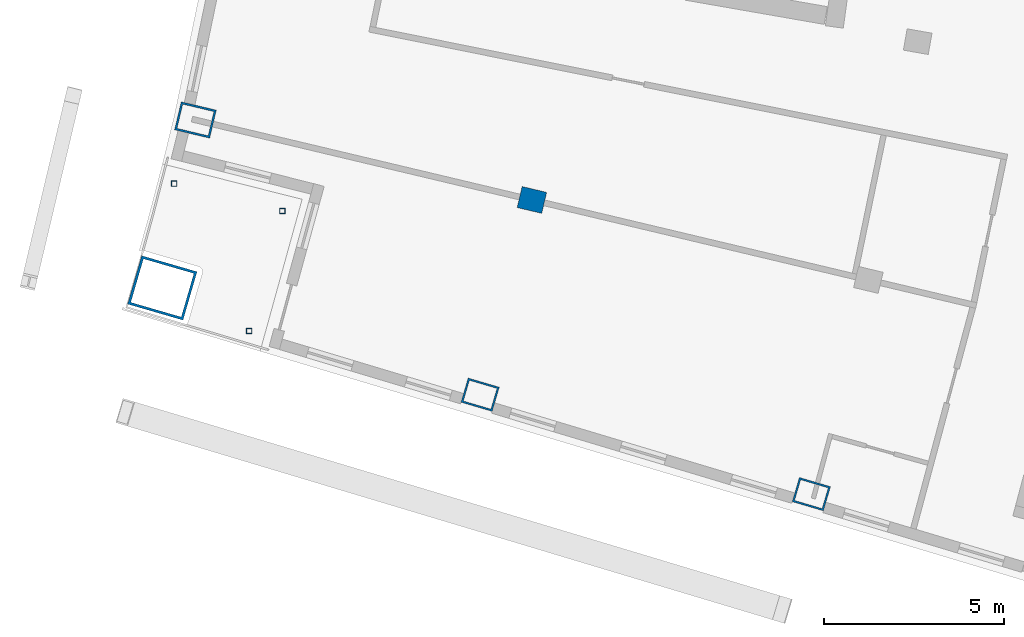
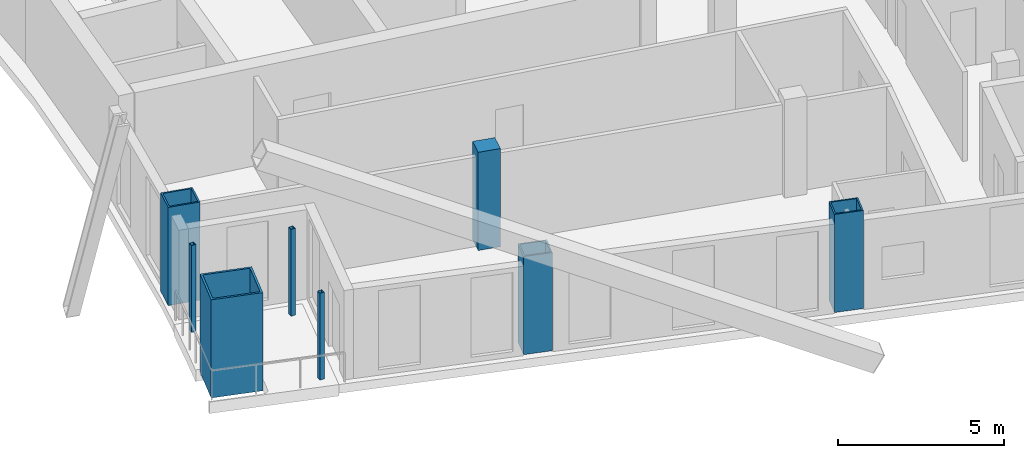
# One storey, part 1 of 17: 8 columns.
"""IFC4 building model written with IfcOpenShell, lengths in metres."""

from ifc_helpers import new_model, si_unit, direction, frame, origin, origin_2d, place, context, subcontext, project, spatial, rectangle, hollow_rectangle, extrude, material, material_profile, profile_set, type_object, element, save


model = new_model("IFC4")

# Units and contexts
model_context = context("Model", 3, precision=1e-05, world=origin(), true_north=direction((0.0, 1.0)))
body_context = subcontext(model_context, "Body", "Model", "MODEL_VIEW")
ifc_project = project(units=[si_unit("LENGTHUNIT", "METRE"), si_unit("AREAUNIT", "SQUARE_METRE"), si_unit("VOLUMEUNIT", "CUBIC_METRE"), si_unit("PLANEANGLEUNIT", "RADIAN"), si_unit("MASSUNIT", "GRAM", prefix="KILO")], contexts=[model_context])

# Site, building, storey
site_placement = place(None, origin())
site = spatial("IfcSite", under=ifc_project, at=site_placement, CompositionType="ELEMENT")
building_placement = place(site_placement, origin())
building = spatial("IfcBuilding", under=site, at=building_placement, Name="Alderwake Tower", CompositionType="ELEMENT")
storey_placement = place(building_placement, frame((0.0, 0.0, 278.0)))
storey = spatial("IfcBuildingStorey", under=building, at=storey_placement, Name="L69", CompositionType="ELEMENT", Elevation=278.0)

# Columns
ifc_material_1 = material(Name="Steel ASTM A572 Grade 50 concrete filled C70/85", Category="concrete")
ifc_material_profile_1 = material_profile(ifc_material_1, hollow_rectangle(XDim=0.699951171875, YDim=0.89990234375, WallThickness=0.050048828125, at=origin_2d()), Name="BOX 900X700X50")
ifc_profile_set_1 = profile_set([ifc_material_profile_1], Name="Steel ASTM A572 Grade 50 concrete filled C70/85")
column_type_1 = type_object("IfcColumnType", Name="End column Z5", PredefinedType="COLUMN", material=ifc_profile_set_1)
for number, where, z_axis, x_axis, name in (
    (1, (21.885498046875, 31.03759765625, 0.0), (0.0, 0.0, 1.0), (0.282132160283, 0.95937554906, 0.0), "Column R02-C1"),
    (2, (31.080322265625, 28.27685546875, 0.0), (0.0, 0.0, 1.0), (0.282582549822, 0.959242984095, 0.0), "Column R02-C2"),
):
    element("IfcColumn", number, at=place(storey_placement, frame(where, z_axis=z_axis, x_axis=x_axis)), inside=storey, type_object=column_type_1, Name=name, PredefinedType="COLUMN", context=body_context, shape_type="SweptSolid", body=[
        extrude(hollow_rectangle(XDim=0.699951171875, YDim=0.89990234375, WallThickness=0.050048828125, at=origin_2d()), origin(), (0.0, 0.0, 1.0), 3.60009765625),
    ])
ifc_material_2 = material(Name="Concrete C70/85", Category="concrete")
ifc_material_profile_2 = material_profile(ifc_material_2, rectangle(XDim=0.60009765625, YDim=0.699951171875, at=origin_2d()), Name="RC 700X600")
ifc_profile_set_2 = profile_set([ifc_material_profile_2], Name="Concrete C70/85")
column_type_2 = type_object("IfcColumnType", Name="Interior column Z5", PredefinedType="COLUMN", material=ifc_profile_set_2)
column_1_placement = place(storey_placement, frame((23.322021484375, 36.444091796875, 0.0), z_axis=(0.0, 0.0, 1.0), x_axis=(0.231221547198, 0.972901123502, 0.0)))
element("IfcColumn", 3, at=column_1_placement, inside=storey, type_object=column_type_2, Name="Column R03-C1", PredefinedType="COLUMN", context=body_context, shape_type="SweptSolid", body=[
    extrude(rectangle(XDim=0.60009765625, YDim=0.699951171875, at=origin_2d()), origin(), (0.0, 0.0, 1.0), 3.60009765625),
])
ifc_material_3 = material(Name="Steel ASTM A500 Grade C", Category="steel")
ifc_material_profile_3 = material_profile(ifc_material_3, hollow_rectangle(XDim=0.15234375, YDim=0.15234375, WallThickness=0.0087890625, at=origin_2d()), Name="HSS6X6X3/8")
ifc_profile_set_3 = profile_set([ifc_material_profile_3], Name="Steel ASTM A500 Grade C")
column_type_3 = type_object("IfcColumnType", Name="Light post HSS6X6X3/8", PredefinedType="COLUMN", material=ifc_profile_set_3)
for number, where, z_axis, x_axis, name in (
    (4, (13.3896484375, 36.896484375, 0.0), (0.0, 0.0, 1.0), (1.0, 0.0, 0.0), "Terrace post RS1"),
    (5, (15.47412109375, 32.805908203125, 0.0), (0.0, 0.0, 1.0), (1.0, 0.0, 0.0), "Terrace post RS2"),
    (6, (16.39501953125, 36.135986328125, 0.0), (0.0, 0.0, 1.0), (1.0, 0.0, 0.0), "Terrace post RS3"),
):
    element("IfcColumn", number, at=place(storey_placement, frame(where, z_axis=z_axis, x_axis=x_axis)), inside=storey, type_object=column_type_3, Name=name, PredefinedType="COLUMN", context=body_context, shape_type="SweptSolid", body=[
        extrude(hollow_rectangle(XDim=0.15234375, YDim=0.15234375, WallThickness=0.0087890625, at=origin_2d()), origin(), (0.0, 0.0, 1.0), 3.179931640625),
    ])
ifc_material_4 = material(Name="Steel ASTM A572 Grade 50 concrete filled C70/85", Category="concrete")
ifc_material_profile_4 = material_profile(ifc_material_4, hollow_rectangle(XDim=1.39990234375, YDim=1.60009765625, WallThickness=0.070068359375, at=origin_2d()), Name="BOX 1600X1400X70")
ifc_profile_set_4 = profile_set([ifc_material_profile_4], Name="Steel ASTM A572 Grade 50 concrete filled C70/85")
column_type_4 = type_object("IfcColumnType", Name="Mega column Z5", PredefinedType="COLUMN", material=ifc_profile_set_4)
column_2_placement = place(storey_placement, frame((13.06298828125, 34.00244140625, 0.0), z_axis=(0.0, 0.0, 1.0), x_axis=(0.278612301868, 0.960403657452, 0.0)))
element("IfcColumn", 7, at=column_2_placement, inside=storey, type_object=column_type_4, Name="Column R02-C0", PredefinedType="COLUMN", context=body_context, shape_type="SweptSolid", body=[
    extrude(hollow_rectangle(XDim=1.39990234375, YDim=1.60009765625, WallThickness=0.070068359375, at=origin_2d()), origin(), (0.0, 0.0, 1.0), 3.60009765625),
])
ifc_material_5 = material(Name="Steel ASTM A572 Grade 50 concrete filled C70/85", Category="concrete")
ifc_material_profile_5 = material_profile(ifc_material_5, hollow_rectangle(XDim=0.800048828125, YDim=1.0, WallThickness=0.054931640625, at=origin_2d()), Name="BOX 1000X800X55")
ifc_profile_set_5 = profile_set([ifc_material_profile_5], Name="Steel ASTM A572 Grade 50 concrete filled C70/85")
column_type_5 = type_object("IfcColumnType", Name="Perimeter column Z5", PredefinedType="COLUMN", material=ifc_profile_set_5)
column_3_placement = place(storey_placement, frame((13.982177734375, 38.6640625, 0.0), z_axis=(0.0, 0.0, 1.0), x_axis=(0.231221547198, 0.972901123502, 0.0)))
element("IfcColumn", 8, at=column_3_placement, inside=storey, type_object=column_type_5, Name="Column R03-C0", PredefinedType="COLUMN", context=body_context, shape_type="SweptSolid", body=[
    extrude(hollow_rectangle(XDim=0.800048828125, YDim=1.0, WallThickness=0.054931640625, at=origin_2d()), origin(), (0.0, 0.0, 1.0), 3.60009765625),
])

save(model, "model.ifc")
